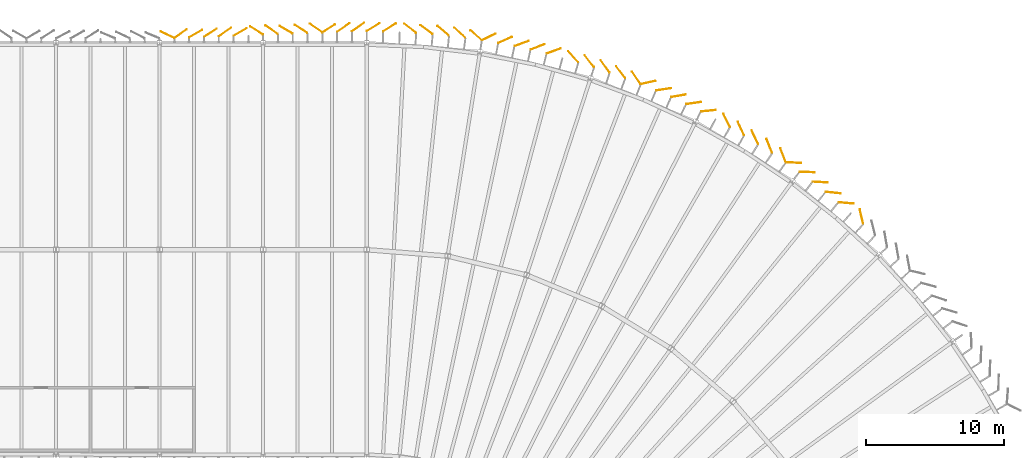
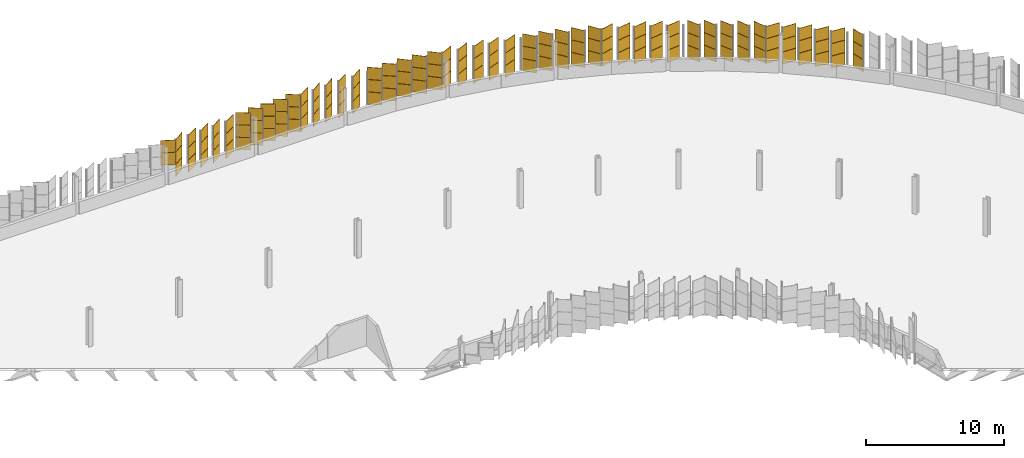
# One storey, part 214 of 214: 140 coverings.
"""IFC4 building model written with IfcOpenShell, lengths in metres."""

from ifc_helpers import new_model, si_unit, direction, frame, origin, origin_2d, place, context, subcontext, project, spatial, rectangle, extrude, material, layer, layer_set, type_object, element, save


model = new_model("IFC4")

# Units and contexts
model_context = context("Model", 3, precision=1e-05, world=origin(), true_north=direction((0.0, 1.0)))
body_context = subcontext(model_context, "Body", "Model", "MODEL_VIEW")
ifc_project = project(units=[si_unit("LENGTHUNIT", "METRE"), si_unit("AREAUNIT", "SQUARE_METRE"), si_unit("VOLUMEUNIT", "CUBIC_METRE"), si_unit("PLANEANGLEUNIT", "RADIAN"), si_unit("MASSUNIT", "GRAM", prefix="KILO")], contexts=[model_context])

# Site, building, storey
site_placement = place(None, origin())
site = spatial("IfcSite", under=ifc_project, at=site_placement, CompositionType="ELEMENT")
building_placement = place(site_placement, origin())
building = spatial("IfcBuilding", under=site, at=building_placement, Name="Parallax Yard Mobility Hub", CompositionType="ELEMENT")
storey_placement = place(building_placement, frame((0.0, 0.0, 3.300048828125)))
storey = spatial("IfcBuildingStorey", under=building, at=storey_placement, Name="L01", CompositionType="ELEMENT", Elevation=3.300048828125)

# Coverings
ifc_material_1 = material(Name="Aluminium panel, light oak finish", Category="aluminium")
ifc_layer_1 = layer(ifc_material_1, 0.030029296875)
ifc_layer_set_1 = layer_set([ifc_layer_1], Name="Skin panel 25 degree turn, oak finish")
covering_type_1 = type_object("IfcCoveringType", Name="Skin panel 25 degree turn, oak finish", PredefinedType="CLADDING", material=ifc_layer_set_1)
for number, where, z_axis, x_axis, name in (
    (1, (158.0673828125, 143.06591796875, 1.119873046875), (0.0, 0.0, 1.0), (-0.906307787037, 0.422618261741, 0.0), "Skin panel 25 bay 52.7 row 2 level L01"),
    (2, (158.0673828125, 143.06591796875, 2.219970703125), (0.0, 0.0, 1.0), (-0.906307787037, 0.422618261741, 0.0), "Skin panel 25 bay 52.7 row 3 level L01"),
):
    element("IfcCovering", number, at=place(storey_placement, frame(where, z_axis=z_axis, x_axis=x_axis)), inside=storey, type_object=covering_type_1, Name=name, ObjectType="SCREEN", PredefinedType="CLADDING", context=body_context, shape_type="SweptSolid", body=[
        extrude(rectangle(XDim=1.080078125, YDim=0.030029296875, at=origin_2d()), origin(), (0.0, 0.0, 1.0), 1.080078125),
    ])
ifc_layer_2 = layer(ifc_material_1, 0.030029296875)
ifc_layer_set_2 = layer_set([ifc_layer_2], Name="Skin panel 30 degree turn, oak finish")
covering_type_2 = type_object("IfcCoveringType", Name="Skin panel 30 degree turn, oak finish", PredefinedType="CLADDING", material=ifc_layer_set_2)
for number, where, z_axis, x_axis, name in (
    (3, (166.662353515625, 143.4296875, 1.119873046875), (0.0, 0.0, 1.0), (-0.866025403784, 0.5, 0.0), "Skin panel 30 bay 51.6 row 2 level L01"),
    (4, (166.662353515625, 143.4296875, 2.219970703125), (0.0, 0.0, 1.0), (-0.866025403784, 0.5, 0.0), "Skin panel 30 bay 51.6 row 3 level L01"),
    (5, (163.339599609375, 143.269287109375, 1.119873046875), (0.0, 0.0, 1.0), (0.866025403784, 0.5, 0.0), "Skin panel 30 bay 52.2 row 2 level L01"),
    (6, (163.339599609375, 143.269287109375, 2.219970703125), (0.0, 0.0, 1.0), (0.866025403784, 0.5, 0.0), "Skin panel 30 bay 52.2 row 3 level L01"),
    (7, (160.125, 143.14892578125, 1.119873046875), (0.0, 0.0, 1.0), (0.866025403784, 0.5, 0.0), "Skin panel 30 bay 52.5 row 2 level L01"),
    (8, (160.125, 143.14892578125, 2.219970703125), (0.0, 0.0, 1.0), (0.866025403784, 0.5, 0.0), "Skin panel 30 bay 52.5 row 3 level L01"),
):
    element("IfcCovering", number, at=place(storey_placement, frame(where, z_axis=z_axis, x_axis=x_axis)), inside=storey, type_object=covering_type_2, Name=name, ObjectType="SCREEN", PredefinedType="CLADDING", context=body_context, shape_type="SweptSolid", body=[
        extrude(rectangle(XDim=1.080078125, YDim=0.030029296875, at=origin_2d()), origin(), (0.0, 0.0, 1.0), 1.080078125),
    ])
ifc_material_2 = material(Name="Aluminium panel, walnut finish", Category="aluminium")
ifc_layer_3 = layer(ifc_material_2, 0.030029296875)
ifc_layer_set_3 = layer_set([ifc_layer_3], Name="Skin panel 30 degree turn, walnut finish")
covering_type_3 = type_object("IfcCoveringType", Name="Skin panel 30 degree turn, walnut finish", PredefinedType="CLADDING", material=ifc_layer_set_3)
for number, where, z_axis, x_axis, name in (
    (9, (166.662353515625, 143.4296875, 0.02001953125), (0.0, 0.0, 1.0), (-0.866025403784, 0.5, 0.0), "Skin panel 30 bay 51.6 row 1 level L01"),
    (10, (163.339599609375, 143.269287109375, 0.02001953125), (0.0, 0.0, 1.0), (0.866025403784, 0.5, 0.0), "Skin panel 30 bay 52.2 row 1 level L01"),
    (11, (160.125, 143.14892578125, 0.02001953125), (0.0, 0.0, 1.0), (0.866025403784, 0.5, 0.0), "Skin panel 30 bay 52.5 row 1 level L01"),
):
    element("IfcCovering", number, at=place(storey_placement, frame(where, z_axis=z_axis, x_axis=x_axis)), inside=storey, type_object=covering_type_3, Name=name, ObjectType="SCREEN", PredefinedType="CLADDING", context=body_context, shape_type="SweptSolid", body=[
        extrude(rectangle(XDim=1.080078125, YDim=0.030029296875, at=origin_2d()), origin(), (0.0, 0.0, 1.0), 1.080078125),
    ])
ifc_layer_4 = layer(ifc_material_1, 0.030029296875)
ifc_layer_set_4 = layer_set([ifc_layer_4], Name="Skin panel 32.5 degree turn, oak finish")
covering_type_4 = type_object("IfcCoveringType", Name="Skin panel 32.5 degree turn, oak finish", PredefinedType="CLADDING", material=ifc_layer_set_4)
for number, where, z_axis, x_axis, name in (
    (12, (206.296142578125, 131.629150390625, 1.119873046875), (0.0, 0.0, 1.0), (0.994604590416, -0.10373865588, 0.0), "Skin panel 32.5 bay 46.5 row 2 level L01"),
    (13, (206.296142578125, 131.629150390625, 2.219970703125), (0.0, 0.0, 1.0), (0.994604590416, -0.10373865588, 0.0), "Skin panel 32.5 bay 46.5 row 3 level L01"),
    (14, (203.42431640625, 133.80078125, 1.119873046875), (0.0, 0.0, 1.0), (0.998904787927, -0.046789151046, 0.0), "Skin panel 32.5 bay 47.1 row 2 level L01"),
    (15, (203.42431640625, 133.80078125, 2.219970703125), (0.0, 0.0, 1.0), (0.998904787927, -0.046789151046, 0.0), "Skin panel 32.5 bay 47.1 row 3 level L01"),
    (16, (200.625, 135.6494140625, 1.119873046875), (0.0, 0.0, 1.0), (-0.431942509836, 0.901901141033, 0.0), "Skin panel 32.5 bay 47.4 row 2 level L01"),
    (17, (200.625, 135.6494140625, 2.219970703125), (0.0, 0.0, 1.0), (-0.431942509836, 0.901901141033, 0.0), "Skin panel 32.5 bay 47.4 row 3 level L01"),
    (18, (197.259521484375, 137.560546875, 1.119873046875), (0.0, 0.0, 1.0), (0.995396198367, 0.09584575252, 0.0), "Skin panel 32.5 bay 47.7 row 2 level L01"),
    (19, (197.259521484375, 137.560546875, 2.219970703125), (0.0, 0.0, 1.0), (0.995396198367, 0.09584575252, 0.0), "Skin panel 32.5 bay 47.7 row 3 level L01"),
    (20, (194.010986328125, 139.11328125, 1.119873046875), (0.0, 0.0, 1.0), (0.988301163175, 0.152514952931, 0.0), "Skin panel 32.5 bay 48.3 row 2 level L01"),
    (21, (194.010986328125, 139.11328125, 2.219970703125), (0.0, 0.0, 1.0), (0.988301163175, 0.152514952931, 0.0), "Skin panel 32.5 bay 48.3 row 3 level L01"),
    (22, (190.8984375, 140.36328125, 1.119873046875), (0.0, 0.0, 1.0), (-0.602449049595, 0.798157342033, 0.0), "Skin panel 32.5 bay 48.6 row 2 level L01"),
    (23, (190.8984375, 140.36328125, 2.219970703125), (0.0, 0.0, 1.0), (-0.602449049595, 0.798157342033, 0.0), "Skin panel 32.5 bay 48.6 row 3 level L01"),
    (24, (187.467041015625, 141.47998046875, 1.119873046875), (0.0, 0.0, 1.0), (-0.668540245689, 0.743675964311, 0.0), "Skin panel 32.5 bay 49.2 row 2 level L01"),
    (25, (187.467041015625, 141.47998046875, 2.219970703125), (0.0, 0.0, 1.0), (-0.668540245689, 0.743675964311, 0.0), "Skin panel 32.5 bay 49.2 row 3 level L01"),
    (26, (183.724365234375, 142.4296875, 1.119873046875), (0.0, 0.0, 1.0), (0.938328390314, 0.345745328141, 0.0), "Skin panel 32.5 bay 49.5 row 2 level L01"),
    (27, (183.724365234375, 142.4296875, 2.219970703125), (0.0, 0.0, 1.0), (0.938328390314, 0.345745328141, 0.0), "Skin panel 32.5 bay 49.5 row 3 level L01"),
    (28, (180.424560546875, 143.030517578125, 1.119873046875), (0.0, 0.0, 1.0), (-0.748955720789, 0.662620048216, 0.0), "Skin panel 32.5 bay 50.1 row 2 level L01"),
    (29, (180.424560546875, 143.030517578125, 2.219970703125), (0.0, 0.0, 1.0), (-0.748955720789, 0.662620048216, 0.0), "Skin panel 32.5 bay 50.1 row 3 level L01"),
    (30, (176.83935546875, 143.4375, 1.119873046875), (0.0, 0.0, 1.0), (-0.802912160458, 0.596097359991, 0.0), "Skin panel 32.5 bay 50.4 row 2 level L01"),
    (31, (176.83935546875, 143.4375, 2.219970703125), (0.0, 0.0, 1.0), (-0.802912160458, 0.596097359991, 0.0), "Skin panel 32.5 bay 50.4 row 3 level L01"),
    (32, (172.975341796875, 143.615966796875, 1.119873046875), (0.0, 0.0, 1.0), (0.850977982527, 0.525201364482, 0.0), "Skin panel 32.5 bay 50.7 row 2 level L01"),
    (33, (172.975341796875, 143.615966796875, 2.219970703125), (0.0, 0.0, 1.0), (0.850977982527, 0.525201364482, 0.0), "Skin panel 32.5 bay 50.7 row 3 level L01"),
    (34, (169.75634765625, 143.530517578125, 1.119873046875), (0.0, 0.0, 1.0), (0.843391445813, 0.537299608347, 0.0), "Skin panel 32.5 bay 51.3 row 2 level L01"),
    (35, (169.75634765625, 143.530517578125, 2.219970703125), (0.0, 0.0, 1.0), (0.843391445813, 0.537299608347, 0.0), "Skin panel 32.5 bay 51.3 row 3 level L01"),
    (36, (167.746337890625, 143.490478515625, 1.119873046875), (0.0, 0.0, 1.0), (-0.843391445813, 0.537299608347, 0.0), "Skin panel 32.5 bay 51.5 row 2 level L01"),
    (37, (167.746337890625, 143.490478515625, 2.219970703125), (0.0, 0.0, 1.0), (-0.843391445813, 0.537299608347, 0.0), "Skin panel 32.5 bay 51.5 row 3 level L01"),
    (38, (164.53173828125, 143.3701171875, 1.119873046875), (0.0, 0.0, 1.0), (-0.843391445813, 0.537299608347, 0.0), "Skin panel 32.5 bay 52.1 row 2 level L01"),
    (39, (164.53173828125, 143.3701171875, 2.219970703125), (0.0, 0.0, 1.0), (-0.843391445813, 0.537299608347, 0.0), "Skin panel 32.5 bay 52.1 row 3 level L01"),
    (40, (161.18408203125, 143.209716796875, 1.119873046875), (0.0, 0.0, 1.0), (0.843391445813, 0.537299608347, 0.0), "Skin panel 32.5 bay 52.4 row 2 level L01"),
    (41, (161.18408203125, 143.209716796875, 2.219970703125), (0.0, 0.0, 1.0), (0.843391445813, 0.537299608347, 0.0), "Skin panel 32.5 bay 52.4 row 3 level L01"),
):
    element("IfcCovering", number, at=place(storey_placement, frame(where, z_axis=z_axis, x_axis=x_axis)), inside=storey, type_object=covering_type_4, Name=name, ObjectType="SCREEN", PredefinedType="CLADDING", context=body_context, shape_type="SweptSolid", body=[
        extrude(rectangle(XDim=1.080078125, YDim=0.030029296875, at=origin_2d()), origin(), (0.0, 0.0, 1.0), 1.080078125),
    ])
ifc_layer_5 = layer(ifc_material_2, 0.030029296875)
ifc_layer_set_5 = layer_set([ifc_layer_5], Name="Skin panel 32.5 degree turn, walnut finish")
covering_type_5 = type_object("IfcCoveringType", Name="Skin panel 32.5 degree turn, walnut finish", PredefinedType="CLADDING", material=ifc_layer_set_5)
for number, where, z_axis, x_axis, name in (
    (42, (206.296142578125, 131.629150390625, 0.02001953125), (0.0, 0.0, 1.0), (0.994604590416, -0.10373865588, 0.0), "Skin panel 32.5 bay 46.5 row 1 level L01"),
    (43, (203.42431640625, 133.80078125, 0.02001953125), (0.0, 0.0, 1.0), (0.998904787927, -0.046789151046, 0.0), "Skin panel 32.5 bay 47.1 row 1 level L01"),
    (44, (200.625, 135.6494140625, 0.02001953125), (0.0, 0.0, 1.0), (-0.431942509836, 0.901901141033, 0.0), "Skin panel 32.5 bay 47.4 row 1 level L01"),
    (45, (197.259521484375, 137.560546875, 0.02001953125), (0.0, 0.0, 1.0), (0.995396198367, 0.09584575252, 0.0), "Skin panel 32.5 bay 47.7 row 1 level L01"),
    (46, (194.010986328125, 139.11328125, 0.02001953125), (0.0, 0.0, 1.0), (0.988301163175, 0.152514952931, 0.0), "Skin panel 32.5 bay 48.3 row 1 level L01"),
    (47, (190.8984375, 140.36328125, 0.02001953125), (0.0, 0.0, 1.0), (-0.602449049595, 0.798157342033, 0.0), "Skin panel 32.5 bay 48.6 row 1 level L01"),
    (48, (187.467041015625, 141.47998046875, 0.02001953125), (0.0, 0.0, 1.0), (-0.668540245689, 0.743675964311, 0.0), "Skin panel 32.5 bay 49.2 row 1 level L01"),
    (49, (183.724365234375, 142.4296875, 0.02001953125), (0.0, 0.0, 1.0), (0.938328390314, 0.345745328141, 0.0), "Skin panel 32.5 bay 49.5 row 1 level L01"),
    (50, (180.424560546875, 143.030517578125, 0.02001953125), (0.0, 0.0, 1.0), (-0.748955720789, 0.662620048216, 0.0), "Skin panel 32.5 bay 50.1 row 1 level L01"),
    (51, (176.83935546875, 143.4375, 0.02001953125), (0.0, 0.0, 1.0), (-0.802912160458, 0.596097359991, 0.0), "Skin panel 32.5 bay 50.4 row 1 level L01"),
    (52, (172.975341796875, 143.615966796875, 0.02001953125), (0.0, 0.0, 1.0), (0.850977982527, 0.525201364482, 0.0), "Skin panel 32.5 bay 50.7 row 1 level L01"),
    (53, (169.75634765625, 143.530517578125, 0.02001953125), (0.0, 0.0, 1.0), (0.843391445813, 0.537299608347, 0.0), "Skin panel 32.5 bay 51.3 row 1 level L01"),
    (54, (167.746337890625, 143.490478515625, 0.02001953125), (0.0, 0.0, 1.0), (-0.843391445813, 0.537299608347, 0.0), "Skin panel 32.5 bay 51.5 row 1 level L01"),
    (55, (164.53173828125, 143.3701171875, 0.02001953125), (0.0, 0.0, 1.0), (-0.843391445813, 0.537299608347, 0.0), "Skin panel 32.5 bay 52.1 row 1 level L01"),
    (56, (161.18408203125, 143.209716796875, 0.02001953125), (0.0, 0.0, 1.0), (0.843391445813, 0.537299608347, 0.0), "Skin panel 32.5 bay 52.4 row 1 level L01"),
):
    element("IfcCovering", number, at=place(storey_placement, frame(where, z_axis=z_axis, x_axis=x_axis)), inside=storey, type_object=covering_type_5, Name=name, ObjectType="SCREEN", PredefinedType="CLADDING", context=body_context, shape_type="SweptSolid", body=[
        extrude(rectangle(XDim=1.080078125, YDim=0.030029296875, at=origin_2d()), origin(), (0.0, 0.0, 1.0), 1.080078125),
    ])
ifc_layer_6 = layer(ifc_material_1, 0.030029296875)
ifc_layer_set_6 = layer_set([ifc_layer_6], Name="Skin panel 35 degree turn, oak finish")
covering_type_6 = type_object("IfcCoveringType", Name="Skin panel 35 degree turn, oak finish", PredefinedType="CLADDING", material=ifc_layer_set_6)
for number, where, z_axis, x_axis, name in (
    (57, (208.342529296875, 129.904296875, 1.119873046875), (0.0, 0.0, 1.0), (-0.229586015799, 0.973288375226, 0.0), "Skin panel 35 bay 46.3 row 2 level L01"),
    (58, (208.342529296875, 129.904296875, 2.219970703125), (0.0, 0.0, 1.0), (-0.229586015799, 0.973288375226, 0.0), "Skin panel 35 bay 46.3 row 3 level L01"),
    (59, (207.2265625, 130.87939453125, 1.119873046875), (0.0, 0.0, 1.0), (0.996055171481, -0.088736099562, 0.0), "Skin panel 35 bay 46.4 row 2 level L01"),
    (60, (207.2265625, 130.87939453125, 2.219970703125), (0.0, 0.0, 1.0), (0.996055171481, -0.088736099562, 0.0), "Skin panel 35 bay 46.4 row 3 level L01"),
    (61, (205.352783203125, 132.391845703125, 1.119873046875), (0.0, 0.0, 1.0), (0.998182963848, -0.060255876762, 0.0), "Skin panel 35 bay 46.6 row 2 level L01"),
    (62, (205.352783203125, 132.391845703125, 2.219970703125), (0.0, 0.0, 1.0), (0.998182963848, -0.060255876762, 0.0), "Skin panel 35 bay 46.6 row 3 level L01"),
    (63, (204.4052734375, 133.11767578125, 1.119873046875), (0.0, 0.0, 1.0), (0.999496532315, -0.031728250671, 0.0), "Skin panel 35 bay 46.7 row 2 level L01"),
    (64, (204.4052734375, 133.11767578125, 2.219970703125), (0.0, 0.0, 1.0), (0.999496532315, -0.031728250671, 0.0), "Skin panel 35 bay 46.7 row 3 level L01"),
    (65, (202.6650390625, 134.3447265625, 1.119873046875), (0.0, 0.0, 1.0), (-0.365762243564, 0.930708322292, 0.0), "Skin panel 35 bay 47.2 row 2 level L01"),
    (66, (202.6650390625, 134.3447265625, 2.219970703125), (0.0, 0.0, 1.0), (-0.365762243564, 0.930708322292, 0.0), "Skin panel 35 bay 47.2 row 3 level L01"),
    (67, (201.67041015625, 135.015380859375, 1.119873046875), (0.0, 0.0, 1.0), (-0.365762243564, 0.930708322292, 0.0), "Skin panel 35 bay 47.3 row 2 level L01"),
    (68, (201.67041015625, 135.015380859375, 2.219970703125), (0.0, 0.0, 1.0), (-0.365762243564, 0.930708322292, 0.0), "Skin panel 35 bay 47.3 row 3 level L01"),
    (69, (199.61083984375, 136.28173828125, 1.119873046875), (0.0, 0.0, 1.0), (-0.418299907681, 0.908308971239, 0.0), "Skin panel 35 bay 47.5 row 2 level L01"),
    (70, (199.61083984375, 136.28173828125, 2.219970703125), (0.0, 0.0, 1.0), (-0.418299907681, 0.908308971239, 0.0), "Skin panel 35 bay 47.5 row 3 level L01"),
    (71, (198.5732421875, 136.872314453125, 1.119873046875), (0.0, 0.0, 1.0), (-0.44406604395, 0.895994056125, 0.0), "Skin panel 35 bay 47.6 row 2 level L01"),
    (72, (198.5732421875, 136.872314453125, 2.219970703125), (0.0, 0.0, 1.0), (-0.44406604395, 0.895994056125, 0.0), "Skin panel 35 bay 47.6 row 3 level L01"),
    (73, (196.18212890625, 138.1181640625, 1.119873046875), (0.0, 0.0, 1.0), (0.990268068742, 0.13917310096, 0.0), "Skin panel 35 bay 48.1 row 2 level L01"),
    (74, (196.18212890625, 138.1181640625, 2.219970703125), (0.0, 0.0, 1.0), (0.990268068742, 0.13917310096, 0.0), "Skin panel 35 bay 48.1 row 3 level L01"),
    (75, (195.09423828125, 138.644775390625, 1.119873046875), (0.0, 0.0, 1.0), (0.985889889941, 0.167395116152, 0.0), "Skin panel 35 bay 48.2 row 2 level L01"),
    (76, (195.09423828125, 138.644775390625, 2.219970703125), (0.0, 0.0, 1.0), (0.985889889941, 0.167395116152, 0.0), "Skin panel 35 bay 48.2 row 3 level L01"),
    (77, (192.894287109375, 139.609619140625, 1.119873046875), (0.0, 0.0, 1.0), (0.974725724206, 0.223404929604, 0.0), "Skin panel 35 bay 48.4 row 2 level L01"),
    (78, (192.894287109375, 139.609619140625, 2.219970703125), (0.0, 0.0, 1.0), (0.974725724206, 0.223404929604, 0.0), "Skin panel 35 bay 48.4 row 3 level L01"),
    (79, (192.03662109375, 139.943603515625, 1.119873046875), (0.0, 0.0, 1.0), (-0.567060517311, 0.823676131563, 0.0), "Skin panel 35 bay 48.5 row 2 level L01"),
    (80, (192.03662109375, 139.943603515625, 2.219970703125), (0.0, 0.0, 1.0), (-0.567060517311, 0.823676131563, 0.0), "Skin panel 35 bay 48.5 row 3 level L01"),
    (81, (189.778076171875, 140.778564453125, 1.119873046875), (0.0, 0.0, 1.0), (-0.590349306946, 0.807147877274, 0.0), "Skin panel 35 bay 48.7 row 2 level L01"),
    (82, (189.778076171875, 140.778564453125, 2.219970703125), (0.0, 0.0, 1.0), (-0.590349306946, 0.807147877274, 0.0), "Skin panel 35 bay 48.7 row 3 level L01"),
    (83, (188.629638671875, 141.15576171875, 1.119873046875), (0.0, 0.0, 1.0), (-0.613158015407, 0.789960282636, 0.0), "Skin panel 35 bay 49.1 row 2 level L01"),
    (84, (188.629638671875, 141.15576171875, 2.219970703125), (0.0, 0.0, 1.0), (-0.613158015407, 0.789960282636, 0.0), "Skin panel 35 bay 49.1 row 3 level L01"),
    (85, (186.050537109375, 141.888671875, 1.119873046875), (0.0, 0.0, 1.0), (0.942906278142, 0.333058179063, 0.0), "Skin panel 35 bay 49.3 row 2 level L01"),
    (86, (186.050537109375, 141.888671875, 2.219970703125), (0.0, 0.0, 1.0), (0.942906278142, 0.333058179063, 0.0), "Skin panel 35 bay 49.3 row 3 level L01"),
    (87, (184.879150390625, 142.185791015625, 1.119873046875), (0.0, 0.0, 1.0), (0.933010699538, 0.35984862727, 0.0), "Skin panel 35 bay 49.4 row 2 level L01"),
    (88, (184.879150390625, 142.185791015625, 2.219970703125), (0.0, 0.0, 1.0), (0.933010699538, 0.35984862727, 0.0), "Skin panel 35 bay 49.4 row 3 level L01"),
    (89, (182.53076171875, 142.69140625, 1.119873046875), (0.0, 0.0, 1.0), (0.910945922191, 0.412525789307, 0.0), "Skin panel 35 bay 49.6 row 2 level L01"),
    (90, (182.53076171875, 142.69140625, 2.219970703125), (0.0, 0.0, 1.0), (0.910945922191, 0.412525789307, 0.0), "Skin panel 35 bay 49.6 row 3 level L01"),
    (91, (181.34130859375, 142.906005859375, 1.119873046875), (0.0, 0.0, 1.0), (0.898794046299, 0.438371146789, 0.0), "Skin panel 35 bay 49.7 row 2 level L01"),
    (92, (181.34130859375, 142.906005859375, 2.219970703125), (0.0, 0.0, 1.0), (0.898794046299, 0.438371146789, 0.0), "Skin panel 35 bay 49.7 row 3 level L01"),
    (93, (179.24365234375, 143.212158203125, 1.119873046875), (0.0, 0.0, 1.0), (-0.738883575779, 0.673833110974, 0.0), "Skin panel 35 bay 50.2 row 2 level L01"),
    (94, (179.24365234375, 143.212158203125, 2.219970703125), (0.0, 0.0, 1.0), (-0.738883575779, 0.673833110974, 0.0), "Skin panel 35 bay 50.2 row 3 level L01"),
    (95, (178.04296875, 143.3505859375, 1.119873046875), (0.0, 0.0, 1.0), (-0.757823541638, 0.652459561766, 0.0), "Skin panel 35 bay 50.3 row 2 level L01"),
    (96, (178.04296875, 143.3505859375, 2.219970703125), (0.0, 0.0, 1.0), (-0.757823541638, 0.652459561766, 0.0), "Skin panel 35 bay 50.3 row 3 level L01"),
    (97, (175.6484375, 143.5361328125, 1.119873046875), (0.0, 0.0, 1.0), (-0.793836522636, 0.608131215552, 0.0), "Skin panel 35 bay 50.5 row 2 level L01"),
    (98, (175.6484375, 143.5361328125, 2.219970703125), (0.0, 0.0, 1.0), (-0.793836522636, 0.608131215552, 0.0), "Skin panel 35 bay 50.5 row 3 level L01"),
    (99, (174.162841796875, 143.606201171875, 1.119873046875), (0.0, 0.0, 1.0), (0.842964496973, 0.537969196928, 0.0), "Skin panel 35 bay 50.6 row 2 level L01"),
    (100, (174.162841796875, 143.606201171875, 2.219970703125), (0.0, 0.0, 1.0), (0.842964496973, 0.537969196928, 0.0), "Skin panel 35 bay 50.6 row 3 level L01"),
    (101, (171.885986328125, 143.630859375, 1.119873046875), (0.0, 0.0, 1.0), (0.819152044289, 0.573576436351, 0.0), "Skin panel 35 bay 51.1 row 2 level L01"),
    (102, (171.885986328125, 143.630859375, 2.219970703125), (0.0, 0.0, 1.0), (0.819152044289, 0.573576436351, 0.0), "Skin panel 35 bay 51.1 row 3 level L01"),
    (103, (170.814453125, 143.5908203125, 1.119873046875), (0.0, 0.0, 1.0), (0.819152044289, 0.573576436351, 0.0), "Skin panel 35 bay 51.2 row 2 level L01"),
    (104, (170.814453125, 143.5908203125, 2.219970703125), (0.0, 0.0, 1.0), (0.819152044289, 0.573576436351, 0.0), "Skin panel 35 bay 51.2 row 3 level L01"),
    (105, (168.83154296875, 143.55078125, 1.119873046875), (0.0, 0.0, 1.0), (-0.819152044289, 0.573576436351, 0.0), "Skin panel 35 bay 51.4 row 2 level L01"),
    (106, (168.83154296875, 143.55078125, 2.219970703125), (0.0, 0.0, 1.0), (-0.819152044289, 0.573576436351, 0.0), "Skin panel 35 bay 51.4 row 3 level L01"),
    (107, (165.61669921875, 143.430419921875, 1.119873046875), (0.0, 0.0, 1.0), (-0.819152044289, 0.573576436351, 0.0), "Skin panel 35 bay 51.7 row 2 level L01"),
    (108, (165.61669921875, 143.430419921875, 2.219970703125), (0.0, 0.0, 1.0), (-0.819152044289, 0.573576436351, 0.0), "Skin panel 35 bay 51.7 row 3 level L01"),
    (109, (162.241943359375, 143.27001953125, 1.119873046875), (0.0, 0.0, 1.0), (0.819152044289, 0.573576436351, 0.0), "Skin panel 35 bay 52.3 row 2 level L01"),
    (110, (162.241943359375, 143.27001953125, 2.219970703125), (0.0, 0.0, 1.0), (0.819152044289, 0.573576436351, 0.0), "Skin panel 35 bay 52.3 row 3 level L01"),
    (111, (159.02734375, 143.14990234375, 1.119873046875), (0.0, 0.0, 1.0), (0.819152044289, 0.573576436351, 0.0), "Skin panel 35 bay 52.6 row 2 level L01"),
    (112, (159.02734375, 143.14990234375, 2.219970703125), (0.0, 0.0, 1.0), (0.819152044289, 0.573576436351, 0.0), "Skin panel 35 bay 52.6 row 3 level L01"),
):
    element("IfcCovering", number, at=place(storey_placement, frame(where, z_axis=z_axis, x_axis=x_axis)), inside=storey, type_object=covering_type_6, Name=name, ObjectType="SCREEN", PredefinedType="CLADDING", context=body_context, shape_type="SweptSolid", body=[
        extrude(rectangle(XDim=1.080078125, YDim=0.030029296875, at=origin_2d()), origin(), (0.0, 0.0, 1.0), 1.080078125),
    ])
ifc_layer_7 = layer(ifc_material_2, 0.030029296875)
ifc_layer_set_7 = layer_set([ifc_layer_7], Name="Skin panel 35 degree turn, walnut finish")
covering_type_7 = type_object("IfcCoveringType", Name="Skin panel 35 degree turn, walnut finish", PredefinedType="CLADDING", material=ifc_layer_set_7)
for number, where, z_axis, x_axis, name in (
    (113, (208.342529296875, 129.904296875, 0.02001953125), (0.0, 0.0, 1.0), (-0.229586015799, 0.973288375226, 0.0), "Skin panel 35 bay 46.3 row 1 level L01"),
    (114, (207.2265625, 130.87939453125, 0.02001953125), (0.0, 0.0, 1.0), (0.996055171481, -0.088736099562, 0.0), "Skin panel 35 bay 46.4 row 1 level L01"),
    (115, (205.352783203125, 132.391845703125, 0.02001953125), (0.0, 0.0, 1.0), (0.998182963848, -0.060255876762, 0.0), "Skin panel 35 bay 46.6 row 1 level L01"),
    (116, (204.4052734375, 133.11767578125, 0.02001953125), (0.0, 0.0, 1.0), (0.999496532315, -0.031728250671, 0.0), "Skin panel 35 bay 46.7 row 1 level L01"),
    (117, (202.6650390625, 134.3447265625, 0.02001953125), (0.0, 0.0, 1.0), (-0.365762243564, 0.930708322292, 0.0), "Skin panel 35 bay 47.2 row 1 level L01"),
    (118, (201.67041015625, 135.015380859375, 0.02001953125), (0.0, 0.0, 1.0), (-0.365762243564, 0.930708322292, 0.0), "Skin panel 35 bay 47.3 row 1 level L01"),
    (119, (199.61083984375, 136.28173828125, 0.02001953125), (0.0, 0.0, 1.0), (-0.418299907681, 0.908308971239, 0.0), "Skin panel 35 bay 47.5 row 1 level L01"),
    (120, (198.5732421875, 136.872314453125, 0.02001953125), (0.0, 0.0, 1.0), (-0.44406604395, 0.895994056125, 0.0), "Skin panel 35 bay 47.6 row 1 level L01"),
    (121, (196.18212890625, 138.1181640625, 0.02001953125), (0.0, 0.0, 1.0), (0.990268068742, 0.13917310096, 0.0), "Skin panel 35 bay 48.1 row 1 level L01"),
    (122, (195.09423828125, 138.644775390625, 0.02001953125), (0.0, 0.0, 1.0), (0.985889889941, 0.167395116152, 0.0), "Skin panel 35 bay 48.2 row 1 level L01"),
    (123, (192.894287109375, 139.609619140625, 0.02001953125), (0.0, 0.0, 1.0), (0.974725724206, 0.223404929604, 0.0), "Skin panel 35 bay 48.4 row 1 level L01"),
    (124, (192.03662109375, 139.943603515625, 0.02001953125), (0.0, 0.0, 1.0), (-0.567060517311, 0.823676131563, 0.0), "Skin panel 35 bay 48.5 row 1 level L01"),
    (125, (189.778076171875, 140.778564453125, 0.02001953125), (0.0, 0.0, 1.0), (-0.590349306946, 0.807147877274, 0.0), "Skin panel 35 bay 48.7 row 1 level L01"),
    (126, (188.629638671875, 141.15576171875, 0.02001953125), (0.0, 0.0, 1.0), (-0.613158015407, 0.789960282636, 0.0), "Skin panel 35 bay 49.1 row 1 level L01"),
    (127, (186.050537109375, 141.888671875, 0.02001953125), (0.0, 0.0, 1.0), (0.942906278142, 0.333058179063, 0.0), "Skin panel 35 bay 49.3 row 1 level L01"),
    (128, (184.879150390625, 142.185791015625, 0.02001953125), (0.0, 0.0, 1.0), (0.933010699538, 0.35984862727, 0.0), "Skin panel 35 bay 49.4 row 1 level L01"),
    (129, (182.53076171875, 142.69140625, 0.02001953125), (0.0, 0.0, 1.0), (0.910945922191, 0.412525789307, 0.0), "Skin panel 35 bay 49.6 row 1 level L01"),
    (130, (181.34130859375, 142.906005859375, 0.02001953125), (0.0, 0.0, 1.0), (0.898794046299, 0.438371146789, 0.0), "Skin panel 35 bay 49.7 row 1 level L01"),
    (131, (179.24365234375, 143.212158203125, 0.02001953125), (0.0, 0.0, 1.0), (-0.738883575779, 0.673833110974, 0.0), "Skin panel 35 bay 50.2 row 1 level L01"),
    (132, (178.04296875, 143.3505859375, 0.02001953125), (0.0, 0.0, 1.0), (-0.757823541638, 0.652459561766, 0.0), "Skin panel 35 bay 50.3 row 1 level L01"),
    (133, (175.6484375, 143.5361328125, 0.02001953125), (0.0, 0.0, 1.0), (-0.793836522636, 0.608131215552, 0.0), "Skin panel 35 bay 50.5 row 1 level L01"),
    (134, (174.162841796875, 143.606201171875, 0.02001953125), (0.0, 0.0, 1.0), (0.842964496973, 0.537969196928, 0.0), "Skin panel 35 bay 50.6 row 1 level L01"),
    (135, (171.885986328125, 143.630859375, 0.02001953125), (0.0, 0.0, 1.0), (0.819152044289, 0.573576436351, 0.0), "Skin panel 35 bay 51.1 row 1 level L01"),
    (136, (170.814453125, 143.5908203125, 0.02001953125), (0.0, 0.0, 1.0), (0.819152044289, 0.573576436351, 0.0), "Skin panel 35 bay 51.2 row 1 level L01"),
    (137, (168.83154296875, 143.55078125, 0.02001953125), (0.0, 0.0, 1.0), (-0.819152044289, 0.573576436351, 0.0), "Skin panel 35 bay 51.4 row 1 level L01"),
    (138, (165.61669921875, 143.430419921875, 0.02001953125), (0.0, 0.0, 1.0), (-0.819152044289, 0.573576436351, 0.0), "Skin panel 35 bay 51.7 row 1 level L01"),
    (139, (162.241943359375, 143.27001953125, 0.02001953125), (0.0, 0.0, 1.0), (0.819152044289, 0.573576436351, 0.0), "Skin panel 35 bay 52.3 row 1 level L01"),
    (140, (159.02734375, 143.14990234375, 0.02001953125), (0.0, 0.0, 1.0), (0.819152044289, 0.573576436351, 0.0), "Skin panel 35 bay 52.6 row 1 level L01"),
):
    element("IfcCovering", number, at=place(storey_placement, frame(where, z_axis=z_axis, x_axis=x_axis)), inside=storey, type_object=covering_type_7, Name=name, ObjectType="SCREEN", PredefinedType="CLADDING", context=body_context, shape_type="SweptSolid", body=[
        extrude(rectangle(XDim=1.080078125, YDim=0.030029296875, at=origin_2d()), origin(), (0.0, 0.0, 1.0), 1.080078125),
    ])

save(model, "model.ifc")
